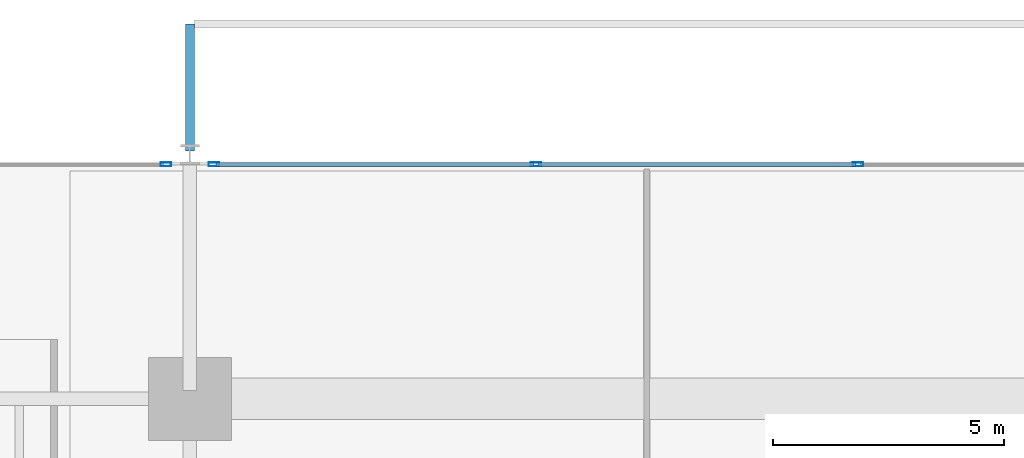
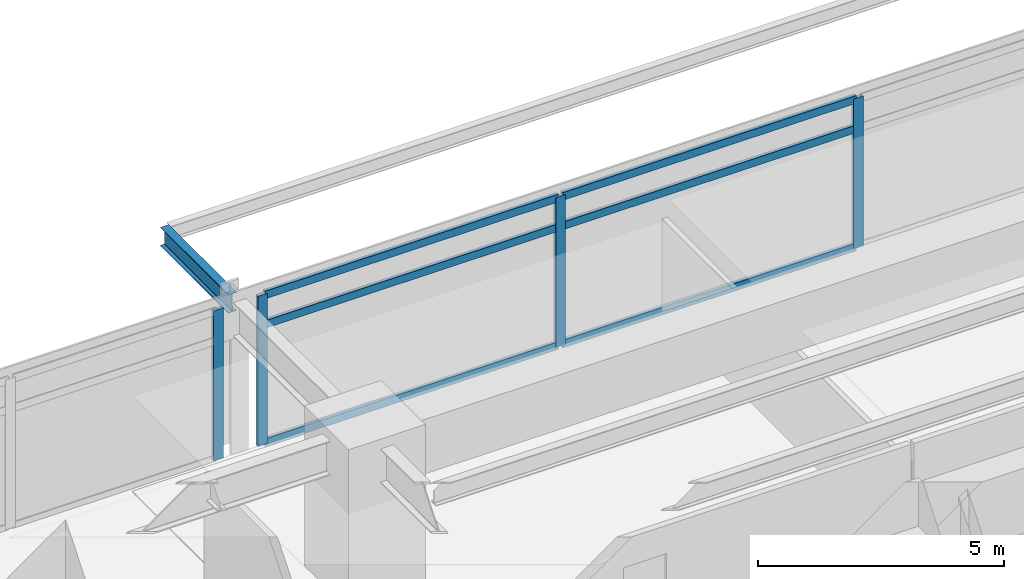
# One storey, part 9 of 20: 10 members, 1 beam, 2 elements without a shape of their own.
"""IFC4 building model written with IfcOpenShell, lengths in metres."""

from ifc_helpers import new_model, si_unit, direction, frame, origin, origin_2d, place, context, subcontext, project, spatial, hollow_rectangle, i_section, extrude, material, material_profile, profile_set, type_object, element, aggregate, save


model = new_model("IFC4")

# Units and contexts
model_context = context("Model", 3, precision=1e-05, world=origin(), true_north=direction((0.0, 1.0)))
body_context = subcontext(model_context, "Body", "Model", "MODEL_VIEW")
ifc_project = project(units=[si_unit("LENGTHUNIT", "METRE"), si_unit("AREAUNIT", "SQUARE_METRE"), si_unit("VOLUMEUNIT", "CUBIC_METRE"), si_unit("PLANEANGLEUNIT", "RADIAN"), si_unit("MASSUNIT", "GRAM", prefix="KILO")], contexts=[model_context])

# Site, building, storey
site_placement = place(None, origin())
site = spatial("IfcSite", under=ifc_project, at=site_placement, CompositionType="ELEMENT")
building_placement = place(site_placement, origin())
building = spatial("IfcBuilding", under=site, at=building_placement, Name="Kovane Verandah Tower", CompositionType="ELEMENT")
storey_placement = place(building_placement, frame((0.0, 0.0, 35.60009765625)))
storey = spatial("IfcBuildingStorey", under=building, at=storey_placement, Name="L07", CompositionType="ELEMENT", Elevation=35.60009765625)

# Curtain wall, members
ifc_material_1 = material(Name="Champagne Anodised Aluminium Frame with Low-E Clear Laminated Glass", Category="aluminium")
curtain_wall_type = type_object("IfcCurtainWallType", Name="CW-SYS-02-LOW", PredefinedType="NOTDEFINED", material=ifc_material_1)
curtain_wall_1_placement = place(storey_placement, origin())
curtain_wall_1 = element("IfcCurtainWall", 1, at=curtain_wall_1_placement, inside=storey, type_object=curtain_wall_type, Name="L07 N Unitised Curtain Wall-2", PredefinedType="NOTDEFINED")
ifc_material_2 = material(Name="Champagne Anodised Aluminium 6063-T6", Category="aluminium")
ifc_material_profile_1 = material_profile(ifc_material_2, hollow_rectangle(XDim=0.0849609375, YDim=0.22998046875, WallThickness=0.00390625, at=origin_2d()), Name="AL85x230x4")
ifc_profile_set_1 = profile_set([ifc_material_profile_1], Name="Champagne Anodised Aluminium 6063-T6")
member_type_1 = type_object("IfcMemberType", Name="CW-MUL-85x230", PredefinedType="MULLION", material=ifc_profile_set_1)
member_1_placement = place(storey_placement, frame((43.493408203125, 49.289306640625, 0.02001953125), z_axis=(0.0, 0.0, 1.0), x_axis=(0.0, 1.0, 0.0)))
member_1 = element("IfcMember", 2, at=member_1_placement, type_object=member_type_1, Name="L07 N Unitised Curtain Wall-2 Mullion 2", PredefinedType="MULLION", context=body_context, shape_type="SweptSolid", body=[
    extrude(hollow_rectangle(XDim=0.0849609375, YDim=0.22998046875, WallThickness=0.00390625, at=origin_2d()), origin(), (0.0, 0.0, 1.0), 3.719970703125),
])
member_2_placement = place(storey_placement, frame((36.506591796875, 49.289306640625, 0.02001953125), z_axis=(0.0, 0.0, 1.0), x_axis=(0.0, 1.0, 0.0)))
member_2 = element("IfcMember", 3, at=member_2_placement, type_object=member_type_1, Name="L07 N Unitised Curtain Wall-2 Mullion 3", PredefinedType="MULLION", context=body_context, shape_type="SweptSolid", body=[
    extrude(hollow_rectangle(XDim=0.0849609375, YDim=0.22998046875, WallThickness=0.00390625, at=origin_2d()), origin(), (0.0, 0.0, 1.0), 3.719970703125),
])
member_3_placement = place(storey_placement, frame((29.52001953125, 49.289306640625, 0.02001953125), z_axis=(0.0, 0.0, 1.0), x_axis=(0.0, 1.0, 0.0)))
member_3 = element("IfcMember", 4, at=member_3_placement, type_object=member_type_1, Name="L07 N Unitised Curtain Wall-2 Mullion 4", PredefinedType="MULLION", context=body_context, shape_type="SweptSolid", body=[
    extrude(hollow_rectangle(XDim=0.0849609375, YDim=0.22998046875, WallThickness=0.00390625, at=origin_2d()), origin(), (0.0, 0.0, 1.0), 3.719970703125),
])

# Curtain wall, member
curtain_wall_2_placement = place(storey_placement, origin())
curtain_wall_2 = element("IfcCurtainWall", 5, at=curtain_wall_2_placement, inside=storey, type_object=curtain_wall_type, Name="L07 N Unitised Curtain Wall-3", PredefinedType="NOTDEFINED")
member_4_placement = place(storey_placement, frame((28.47998046875, 49.289306640625, 0.02001953125), z_axis=(0.0, 0.0, 1.0), x_axis=(0.0, 1.0, 0.0)))
member_4 = element("IfcMember", 6, at=member_4_placement, type_object=member_type_1, Name="L07 N Unitised Curtain Wall-3 Mullion 1", PredefinedType="MULLION", context=body_context, shape_type="SweptSolid", body=[
    extrude(hollow_rectangle(XDim=0.0849609375, YDim=0.22998046875, WallThickness=0.00390625, at=origin_2d()), origin(), (0.0, 0.0, 1.0), 3.719970703125),
])
aggregate(curtain_wall_2, [member_4])

# Member
ifc_material_profile_2 = material_profile(ifc_material_2, hollow_rectangle(XDim=0.0849609375, YDim=0.18994140625, WallThickness=0.00390625, at=origin_2d()), Name="AL85x190x4")
ifc_profile_set_2 = profile_set([ifc_material_profile_2], Name="Champagne Anodised Aluminium 6063-T6")
member_type_2 = type_object("IfcMemberType", Name="CW-TRN-85x190", PredefinedType="USERDEFINED", material=ifc_profile_set_2)
member_5_placement = place(storey_placement, frame((43.443359375, 49.289306640625, 0.0498046875), z_axis=(-1.0, 0.0, 0.0), x_axis=(0.0, -1.0, 0.0)))
member_5 = element("IfcMember", 7, at=member_5_placement, type_object=member_type_2, Name="L07 N Unitised Curtain Wall-2 Transom TB Bay 2", ObjectType="TRANSOM", PredefinedType="USERDEFINED", context=body_context, shape_type="SweptSolid", body=[
    extrude(hollow_rectangle(XDim=0.0849609375, YDim=0.18994140625, WallThickness=0.00390625, at=origin_2d()), origin(), (0.0, 0.0, 1.0), 6.88671875),
])

member_6_placement = place(storey_placement, frame((43.443359375, 49.289306640625, 2.97998046875), z_axis=(-1.0, 0.0, 0.0), x_axis=(0.0, -1.0, 0.0)))
member_6 = element("IfcMember", 8, at=member_6_placement, type_object=member_type_2, Name="L07 N Unitised Curtain Wall-2 Transom TM Bay 2", ObjectType="TRANSOM", PredefinedType="USERDEFINED", context=body_context, shape_type="SweptSolid", body=[
    extrude(hollow_rectangle(XDim=0.0849609375, YDim=0.18994140625, WallThickness=0.00390625, at=origin_2d()), origin(), (0.0, 0.0, 1.0), 6.88671875),
])

member_7_placement = place(storey_placement, frame((43.443359375, 49.289306640625, 3.7099609375), z_axis=(-1.0, 0.0, 0.0), x_axis=(0.0, -1.0, 0.0)))
member_7 = element("IfcMember", 9, at=member_7_placement, type_object=member_type_2, Name="L07 N Unitised Curtain Wall-2 Transom TT Bay 2", ObjectType="TRANSOM", PredefinedType="USERDEFINED", context=body_context, shape_type="SweptSolid", body=[
    extrude(hollow_rectangle(XDim=0.0849609375, YDim=0.18994140625, WallThickness=0.00390625, at=origin_2d()), origin(), (0.0, 0.0, 1.0), 6.88671875),
])

member_8_placement = place(storey_placement, frame((36.456787109375, 49.289306640625, 0.0498046875), z_axis=(-1.0, 0.0, 0.0), x_axis=(0.0, -1.0, 0.0)))
member_8 = element("IfcMember", 10, at=member_8_placement, type_object=member_type_2, Name="L07 N Unitised Curtain Wall-2 Transom TB Bay 3", ObjectType="TRANSOM", PredefinedType="USERDEFINED", context=body_context, shape_type="SweptSolid", body=[
    extrude(hollow_rectangle(XDim=0.0849609375, YDim=0.18994140625, WallThickness=0.00390625, at=origin_2d()), origin(), (0.0, 0.0, 1.0), 6.88671875),
])

member_9_placement = place(storey_placement, frame((36.456787109375, 49.289306640625, 2.97998046875), z_axis=(-1.0, 0.0, 0.0), x_axis=(0.0, -1.0, 0.0)))
member_9 = element("IfcMember", 11, at=member_9_placement, type_object=member_type_2, Name="L07 N Unitised Curtain Wall-2 Transom TM Bay 3", ObjectType="TRANSOM", PredefinedType="USERDEFINED", context=body_context, shape_type="SweptSolid", body=[
    extrude(hollow_rectangle(XDim=0.0849609375, YDim=0.18994140625, WallThickness=0.00390625, at=origin_2d()), origin(), (0.0, 0.0, 1.0), 6.88671875),
])

member_10_placement = place(storey_placement, frame((36.456787109375, 49.289306640625, 3.7099609375), z_axis=(-1.0, 0.0, 0.0), x_axis=(0.0, -1.0, 0.0)))
member_10 = element("IfcMember", 12, at=member_10_placement, type_object=member_type_2, Name="L07 N Unitised Curtain Wall-2 Transom TT Bay 3", ObjectType="TRANSOM", PredefinedType="USERDEFINED", context=body_context, shape_type="SweptSolid", body=[
    extrude(hollow_rectangle(XDim=0.0849609375, YDim=0.18994140625, WallThickness=0.00390625, at=origin_2d()), origin(), (0.0, 0.0, 1.0), 6.88671875),
])

aggregate(curtain_wall_1, [member_1, member_2, member_3, member_5, member_6, member_7, member_8, member_9, member_10])

# Beam
ifc_material_3 = material(Name="Steel S355", Category="steel")
ifc_material_profile_3 = material_profile(ifc_material_3, i_section(OverallWidth=0.19287109375, OverallDepth=0.46728515625, WebThickness=0.011474609375, FlangeThickness=0.01953125, FilletRadius=0.01025390625, at=origin_2d()), Name="UB457x191x98")
ifc_profile_set_3 = profile_set([ifc_material_profile_3], Name="Steel S355")
beam_type = type_object("IfcBeamType", Name="JST-UB457x98", PredefinedType="JOIST", material=ifc_profile_set_3)
beam_placement = place(storey_placement, frame((29.0, 49.580078125, 3.5263671875), z_axis=(0.0, 1.0, 0.0), x_axis=(-1.0, 0.0, 0.0)))
element("IfcBeam", 13, at=beam_placement, inside=storey, type_object=beam_type, Name="L07 North Planter Girder 1", PredefinedType="JOIST", context=body_context, shape_type="SweptSolid", body=[
    extrude(i_section(OverallWidth=0.19287109375, OverallDepth=0.46728515625, WebThickness=0.011474609375, FlangeThickness=0.01953125, FilletRadius=0.01025390625, at=origin_2d()), origin(), (0.0, 0.0, 1.0), 2.752197265625),
])

save(model, "model.ifc")
